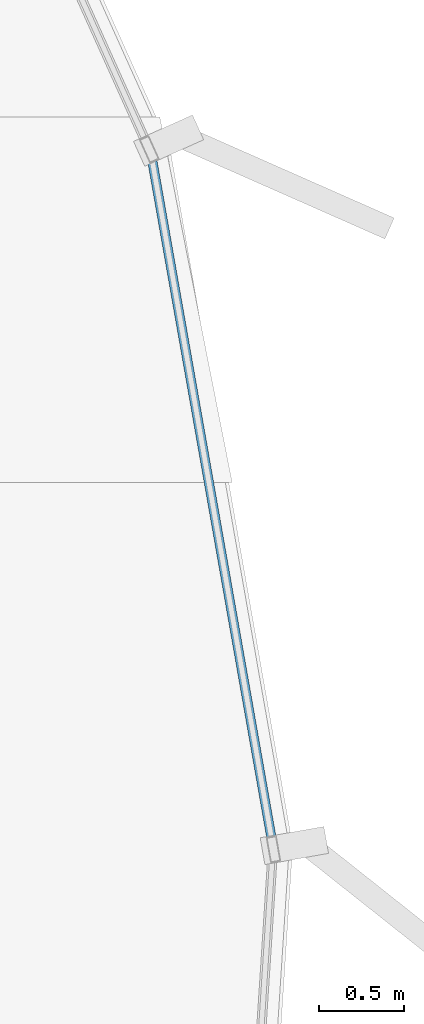
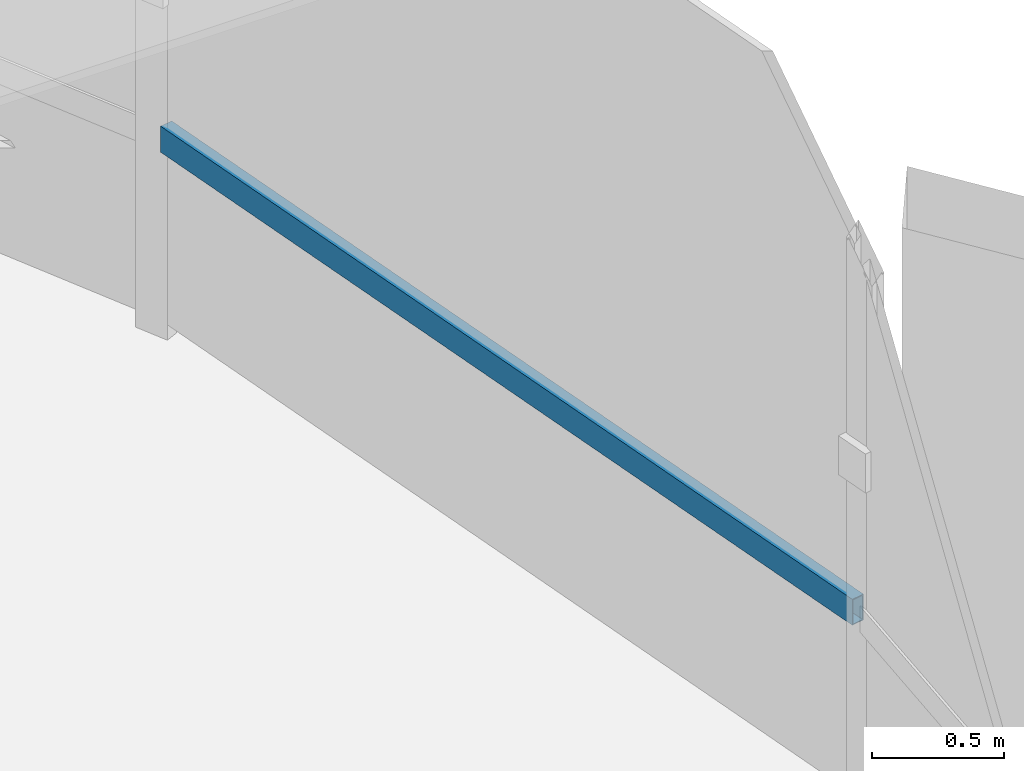
# One storey, part 17 of 35: 1 member, 1 element without a shape of its own.
"""IFC4 building model written with IfcOpenShell, lengths in metres."""

from ifc_helpers import new_model, si_unit, direction, frame, origin, origin_2d, place, context, subcontext, project, spatial, hollow_rectangle, extrude, source, transform, mapped, material, layer, layer_set, material_profile, profile_set, type_object, element, aggregate, save


model = new_model("IFC4")

# Units and contexts
model_context = context("Model", 3, precision=1e-05, world=origin(), true_north=direction((0.0, 1.0)))
body_context = subcontext(model_context, "Body", "Model", "MODEL_VIEW")
ifc_project = project(units=[si_unit("LENGTHUNIT", "METRE"), si_unit("AREAUNIT", "SQUARE_METRE"), si_unit("VOLUMEUNIT", "CUBIC_METRE"), si_unit("PLANEANGLEUNIT", "RADIAN"), si_unit("MASSUNIT", "GRAM", prefix="KILO"), si_unit("THERMODYNAMICTEMPERATUREUNIT", "KELVIN")], contexts=[model_context])

# Site, building, storey
site_placement = place(None, origin())
site = spatial("IfcSite", under=ifc_project, at=site_placement, CompositionType="ELEMENT")
building_placement = place(site_placement, origin())
building = spatial("IfcBuilding", under=site, at=building_placement, Name="Kethvar Cultural Tower", CompositionType="ELEMENT")
storey_placement = place(building_placement, frame((0.0, 0.0, 103.60009765625)))
storey = spatial("IfcBuildingStorey", under=building, at=storey_placement, Name="L25", CompositionType="ELEMENT", Elevation=103.60009765625)

# Curtain wall, member
ifc_material = material(Name="Aluminium 6063-T6", Category="aluminium")
ifc_layer = layer(ifc_material, 0.179931640625, Name="Aluminium 6063-T6", Category="aluminium")
ifc_layer_set = layer_set([ifc_layer], Name="Aluminium 6063-T6 (180 mm)")
curtain_wall_type = type_object("IfcCurtainWallType", Name="CW-SYS-03-Z2", PredefinedType="NOTDEFINED", material=ifc_layer_set)
curtain_wall_placement = place(storey_placement, origin())
curtain_wall = element("IfcCurtainWall", 1, at=curtain_wall_placement, inside=storey, type_object=curtain_wall_type, Name="L25 Curtain Wall Run 06", PredefinedType="NOTDEFINED")
ifc_material_profile = material_profile(ifc_material, hollow_rectangle(XDim=0.054931640625, YDim=0.1201171875, WallThickness=0.00390625, at=origin_2d()), Name="Aluminium 6063-T6 — RHS120x55x4")
ifc_profile_set = profile_set([ifc_material_profile], Name="Aluminium 6063-T6 — RHS120x55x4")
member_type = type_object("IfcMemberType", Name="CW-SYS-03-Z2-TRN", PredefinedType="USERDEFINED", material=ifc_profile_set)
shared_shape = source(origin(), body_context, "Body", "SweptSolid", [
    extrude(hollow_rectangle(XDim=0.054931640625, YDim=0.1201171875, WallThickness=0.00390625, at=origin_2d()), origin(), (0.0, 0.0, 1.0), 4.0830078125),
])
member_placement = place(storey_placement, frame((77.092529296875, 32.850341796875, 0.949951171875), z_axis=(-0.173341879935, 0.984861712455, 0.0), x_axis=(-0.984861712455, -0.173341879935, 0.0)))
member = element("IfcMember", 2, at=member_placement, type_object=member_type, Name="CW-L25-R06 Transom 6", ObjectType="TRANSOM", PredefinedType="USERDEFINED", context=body_context, shape_type="MappedRepresentation", body=[
    mapped(shared_shape, transform((0.0, 0.0, 0.0), scale=1.0)),
])
aggregate(curtain_wall, [member])

save(model, "model.ifc")
